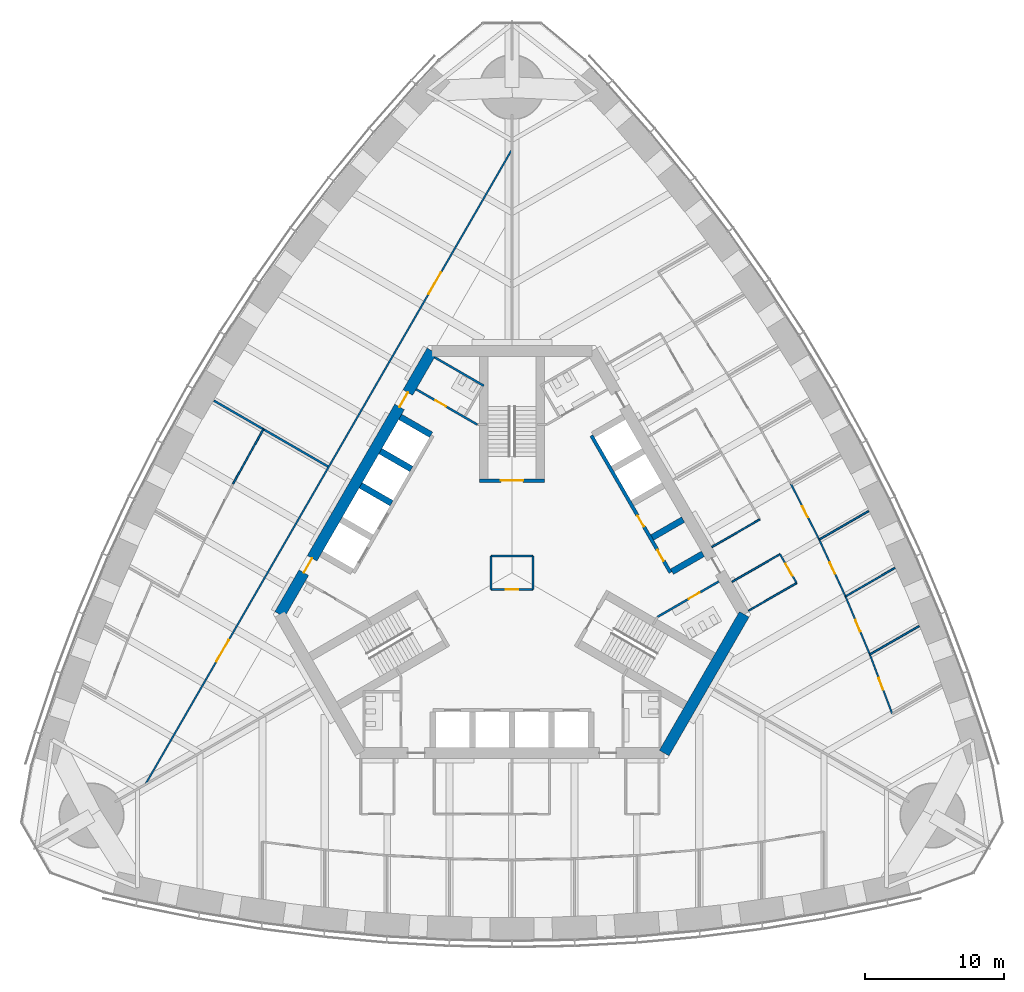
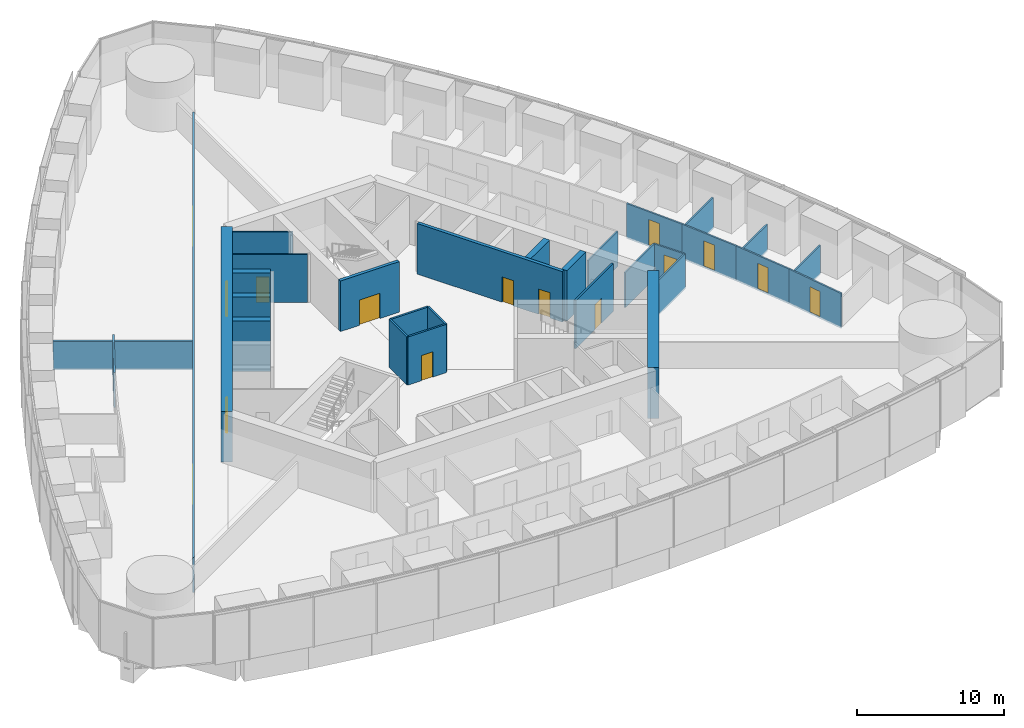
# One storey, part 13 of 20: 30 walls, 15 doors, 15 openings.
"""IFC4 building model written with IfcOpenShell, lengths in metres."""

from ifc_helpers import new_model, si_unit, direction, frame, frame_2d, origin, place, context, subcontext, project, spatial, rectangle, extrude, material, layer, layer_set, type_object, element, fill, save


model = new_model("IFC4")

# Units and contexts
model_context = context("Model", 3, precision=1e-05, world=origin(), true_north=direction((0.0, 1.0)))
body_context = subcontext(model_context, "Body", "Model", "MODEL_VIEW")
ifc_project = project(units=[si_unit("LENGTHUNIT", "METRE"), si_unit("AREAUNIT", "SQUARE_METRE"), si_unit("VOLUMEUNIT", "CUBIC_METRE"), si_unit("PLANEANGLEUNIT", "RADIAN"), si_unit("MASSUNIT", "GRAM", prefix="KILO")], contexts=[model_context])

# Site, building, storey
site_placement = place(None, origin())
site = spatial("IfcSite", under=ifc_project, at=site_placement, CompositionType="ELEMENT")
building_placement = place(site_placement, origin())
building = spatial("IfcBuilding", under=site, at=building_placement, Name="Trefoil Bronze Tower", CompositionType="ELEMENT")
storey_placement = place(building_placement, frame((0.0, 0.0, 103.10009765625)))
storey = spatial("IfcBuildingStorey", under=building, at=storey_placement, Name="L23", CompositionType="ELEMENT", Elevation=103.10009765625)

# Wall
ifc_material_1 = material(Name="Concrete B80", Category="concrete")
ifc_layer_1 = layer(ifc_material_1, 0.800048828125)
ifc_layer_set_1 = layer_set([ifc_layer_1], Name="Core wall 800")
wall_type_1 = type_object("IfcWallType", Name="Core wall 800", PredefinedType="SHEAR", material=ifc_layer_set_1)
wall_1_placement = place(storey_placement, frame((10.9697265625, -13.0, 0.0), z_axis=(0.0, 0.0, 1.0), x_axis=(0.499995765644, 0.866027848477, 0.0)))
element("IfcWall", 1, at=wall_1_placement, inside=storey, type_object=wall_type_1, Name="Core short wall 1 L23", PredefinedType="SHEAR", context=body_context, shape_type="SweptSolid", body=[
    extrude(rectangle(XDim=11.546875, YDim=0.800048828125, at=frame_2d((5.7734375, 0.0))), origin(), (0.0, 0.0, 1.0), 4.199951171875),
])

# Wall, openings, doors
wall_2_placement = place(storey_placement, frame((-5.7734375, 16.0, 0.0), z_axis=(0.0, 0.0, 1.0), x_axis=(-0.500002442456, -0.866023993627, 0.0)))
wall_2 = element("IfcWall", 2, at=wall_2_placement, inside=storey, type_object=wall_type_1, Name="Core long wall 3 L23", PredefinedType="SHEAR", context=body_context, shape_type="SweptSolid", body=[
    extrude(rectangle(XDim=21.939453125, YDim=0.800048828125, at=frame_2d((10.9697265625, 0.0))), origin(), (0.0, 0.0, 1.0), 4.199951171875),
])
opening_1_placement = place(wall_2_placement, frame((17.269775390625, 0.0, 0.0)))
opening_1 = element("IfcOpeningElement", 3, at=opening_1_placement, cuts=wall_2, Name="Opening D2", PredefinedType="OPENING", context=body_context, shape_type="SweptSolid", body=[
    extrude(rectangle(XDim=1.199951171875, YDim=2.10009765625, at=frame_2d((0.60009765625, 1.050048828125))), frame((0.0, 0.409912109375, 0.0), z_axis=(0.0, -1.0, 0.0), x_axis=(1.0, 0.0, 0.0)), (0.0, 0.0, 1.0), 0.820068359375),
])
opening_2_placement = place(wall_2_placement, frame((3.4697265625, 0.0, 0.0)))
opening_2 = element("IfcOpeningElement", 4, at=opening_2_placement, cuts=wall_2, Name="Opening D2", PredefinedType="OPENING", context=body_context, shape_type="SweptSolid", body=[
    extrude(rectangle(XDim=1.199951171875, YDim=2.10009765625, at=frame_2d((0.60009765625, 1.050048828125))), frame((0.0, 0.409912109375, 0.0), z_axis=(0.0, -1.0, 0.0), x_axis=(1.0, 0.0, 0.0)), (0.0, 0.0, 1.0), 0.820068359375),
])
ifc_material_2 = material(Name="Steel door", Category="steel")
door_type_1 = type_object("IfcDoorType", Name="Lobby door 1200", OperationType="SINGLE_SWING_RIGHT", PredefinedType="DOOR", material=ifc_material_2)
door_1_placement = place(opening_1_placement, origin())
door_1 = element("IfcDoor", 5, at=door_1_placement, inside=storey, type_object=door_type_1, Name="Lobby door F3+ L23", OperationType="SINGLE_SWING_RIGHT", OverallHeight=2.10009765625, OverallWidth=1.199951171875, PredefinedType="DOOR", context=body_context, shape_type="SweptSolid", body=[
    extrude(rectangle(XDim=1.199951171875, YDim=2.10009765625, at=frame_2d((0.60009765625, 1.050048828125))), frame((0.0, 0.02490234375, 0.0), z_axis=(0.0, -1.0, 0.0), x_axis=(1.0, 0.0, 0.0)), (0.0, 0.0, 1.0), 0.050048828125),
])
fill(opening_1, door_1)
door_2_placement = place(opening_2_placement, origin())
door_2 = element("IfcDoor", 6, at=door_2_placement, inside=storey, type_object=door_type_1, Name="Lobby door F3- L23", OperationType="SINGLE_SWING_LEFT", OverallHeight=2.10009765625, OverallWidth=1.199951171875, PredefinedType="DOOR", context=body_context, shape_type="SweptSolid", body=[
    extrude(rectangle(XDim=1.199951171875, YDim=2.10009765625, at=frame_2d((0.60009765625, 1.050048828125))), frame((0.0, 0.02490234375, 0.0), z_axis=(0.0, -1.0, 0.0), x_axis=(1.0, 0.0, 0.0)), (0.0, 0.0, 1.0), 0.050048828125),
])
fill(opening_2, door_2)

# Wall, opening, door
ifc_material_3 = material(Name="Glazed partition", Category="glass")
ifc_layer_2 = layer(ifc_material_3, 0.1201171875)
ifc_layer_set_2 = layer_set([ifc_layer_2], Name="Glazed partition 120")
wall_type_2 = type_object("IfcWallType", Name="Glazed partition 120", PredefinedType="PARTITIONING", material=ifc_layer_set_2)
wall_3_placement = place(storey_placement, frame((20.518798828125, -0.73974609375, 0.0), z_axis=(0.0, 0.0, 1.0), x_axis=(-0.499957262057, 0.866050077142, 0.0)))
wall_3 = element("IfcWall", 7, at=wall_3_placement, inside=storey, type_object=wall_type_2, Name="Partition F2 L23", PredefinedType="PARTITIONING", context=body_context, shape_type="SweptSolid", body=[
    extrude(rectangle(XDim=2.400146484375, YDim=0.1201171875, at=frame_2d((1.2001953125, 0.0))), origin(), (0.0, 0.0, 1.0), 2.89990234375),
])
opening_3_placement = place(wall_3_placement, frame((0.60009765625, 0.0, 0.14990234375)))
opening_3 = element("IfcOpeningElement", 8, at=opening_3_placement, cuts=wall_3, Name="Opening D9", PredefinedType="OPENING", context=body_context, shape_type="SweptSolid", body=[
    extrude(rectangle(XDim=1.0, YDim=2.10009765625, at=frame_2d((0.5, 1.050048828125))), frame((0.0, 0.070068359375, 0.0), z_axis=(0.0, -1.0, 0.0), x_axis=(1.0, 0.0, 0.0)), (0.0, 0.0, 1.0), 0.14013671875),
])
ifc_material_4 = material(Name="Glazed timber door", Category="wood")
door_type_2 = type_object("IfcDoorType", Name="Meeting room door 1000", OperationType="SINGLE_SWING_LEFT", PredefinedType="DOOR", material=ifc_material_4)
door_3_placement = place(opening_3_placement, origin())
door_3 = element("IfcDoor", 9, at=door_3_placement, inside=storey, type_object=door_type_2, Name="Team room door F2 L23", OperationType="SINGLE_SWING_LEFT", OverallHeight=2.10009765625, OverallWidth=1.0, PredefinedType="DOOR", context=body_context, shape_type="SweptSolid", body=[
    extrude(rectangle(XDim=1.0, YDim=2.10009765625, at=frame_2d((0.5, 1.050048828125))), frame((0.0, 0.02490234375, 0.0), z_axis=(0.0, -1.0, 0.0), x_axis=(1.0, 0.0, 0.0)), (0.0, 0.0, 1.0), 0.050048828125),
])
fill(opening_3, door_3)

# Walls
for number, where, z_axis, x_axis, name in (
    (10, (17.0546875, -2.73974609375, 0.0), (0.0, 0.0, 1.0), (0.866026010844, 0.49999894854, 0.0), "Partition F2 L23"),
    (11, (14.40478515625, 1.850341796875, 0.0), (0.0, 0.0, 1.0), (0.866026010844, 0.49999894854, 0.0), "Partition F2 L23"),
    (12, (15.854736328125, -0.6611328125, 0.0), (0.0, 0.0, 1.0), (0.866026010844, 0.49999894854, 0.0), "Partition F2 L23"),
):
    element("IfcWall", number, at=place(storey_placement, frame(where, z_axis=z_axis, x_axis=x_axis)), inside=storey, type_object=wall_type_2, Name=name, PredefinedType="PARTITIONING", context=body_context, shape_type="SweptSolid", body=[
        extrude(rectangle(XDim=4.0, YDim=0.1201171875, at=frame_2d((2.0, 0.0))), origin(), (0.0, 0.0, 1.0), 2.89990234375),
    ])

# Wall, opening, door
wall_4_placement = place(storey_placement, frame((24.042724609375, -1.70751953125, 0.0), z_axis=(0.0, 0.0, 1.0), x_axis=(-0.41992827805, 0.90755729367, 0.0)))
wall_4 = element("IfcWall", 13, at=wall_4_placement, inside=storey, type_object=wall_type_2, Name="Partition F2 L23", PredefinedType="PARTITIONING", context=body_context, shape_type="SweptSolid", body=[
    extrude(rectangle(XDim=4.5185546875, YDim=0.1201171875, at=frame_2d((2.25927734375, 0.0))), origin(), (0.0, 0.0, 1.0), 2.89990234375),
])
opening_4_placement = place(wall_4_placement, frame((1.800048828125, 0.0, 0.14990234375)))
opening_4 = element("IfcOpeningElement", 14, at=opening_4_placement, cuts=wall_4, Name="Opening D8", PredefinedType="OPENING", context=body_context, shape_type="SweptSolid", body=[
    extrude(rectangle(XDim=0.89990234375, YDim=2.10009765625, at=frame_2d((0.449951171875, 1.050048828125))), frame((0.0, 0.070068359375, 0.0), z_axis=(0.0, -1.0, 0.0), x_axis=(1.0, 0.0, 0.0)), (0.0, 0.0, 1.0), 0.14013671875),
])
ifc_material_5 = material(Name="Timber door", Category="wood")
door_type_3 = type_object("IfcDoorType", Name="Office door 900", OperationType="SINGLE_SWING_LEFT", PredefinedType="DOOR", material=ifc_material_5)
door_4_placement = place(opening_4_placement, frame((0.89990234375, 0.0, 0.0), z_axis=(0.0, 0.0, 1.0), x_axis=(-1.0, 0.0, 0.0)))
door_4 = element("IfcDoor", 15, at=door_4_placement, inside=storey, type_object=door_type_3, Name="Office door F2 L23", OperationType="SINGLE_SWING_RIGHT", OverallHeight=2.10009765625, OverallWidth=0.89990234375, PredefinedType="DOOR", context=body_context, shape_type="SweptSolid", body=[
    extrude(rectangle(XDim=0.89990234375, YDim=2.10009765625, at=frame_2d((0.449951171875, 1.050048828125))), frame((0.0, 0.02490234375, 0.0), z_axis=(0.0, -1.0, 0.0), x_axis=(1.0, 0.0, 0.0)), (0.0, 0.0, 1.0), 0.050048828125),
])
fill(opening_4, door_4)

wall_5_placement = place(storey_placement, frame((25.797119140625, -5.890625, 0.0), z_axis=(0.0, 0.0, 1.0), x_axis=(-0.386762112496, 0.922179520667, 0.0)))
wall_5 = element("IfcWall", 16, at=wall_5_placement, inside=storey, type_object=wall_type_2, Name="Partition F2 L23", PredefinedType="PARTITIONING", context=body_context, shape_type="SweptSolid", body=[
    extrude(rectangle(XDim=4.5361328125, YDim=0.1201171875, at=frame_2d((2.26806640625, 0.0))), origin(), (0.0, 0.0, 1.0), 2.89990234375),
])
opening_5_placement = place(wall_5_placement, frame((1.800048828125, 0.0, 0.14990234375)))
opening_5 = element("IfcOpeningElement", 17, at=opening_5_placement, cuts=wall_5, Name="Opening D8", PredefinedType="OPENING", context=body_context, shape_type="SweptSolid", body=[
    extrude(rectangle(XDim=0.89990234375, YDim=2.10009765625, at=frame_2d((0.449951171875, 1.050048828125))), frame((0.0, 0.070068359375, 0.0), z_axis=(0.0, -1.0, 0.0), x_axis=(1.0, 0.0, 0.0)), (0.0, 0.0, 1.0), 0.14013671875),
])
door_5_placement = place(opening_5_placement, frame((0.89990234375, 0.0, 0.0), z_axis=(0.0, 0.0, 1.0), x_axis=(-1.0, 0.0, 0.0)))
door_5 = element("IfcDoor", 18, at=door_5_placement, inside=storey, type_object=door_type_3, Name="Office door F2 L23", OperationType="SINGLE_SWING_RIGHT", OverallHeight=2.10009765625, OverallWidth=0.89990234375, PredefinedType="DOOR", context=body_context, shape_type="SweptSolid", body=[
    extrude(rectangle(XDim=0.89990234375, YDim=2.10009765625, at=frame_2d((0.449951171875, 1.050048828125))), frame((0.0, 0.02490234375, 0.0), z_axis=(0.0, -1.0, 0.0), x_axis=(1.0, 0.0, 0.0)), (0.0, 0.0, 1.0), 0.050048828125),
])
fill(opening_5, door_5)

wall_6_placement = place(storey_placement, frame((27.406494140625, -10.15771484375, 0.0), z_axis=(0.0, 0.0, 1.0), x_axis=(-0.352894560512, 0.93566309597, 0.0)))
wall_6 = element("IfcWall", 19, at=wall_6_placement, inside=storey, type_object=wall_type_2, Name="Partition F2 L23", PredefinedType="PARTITIONING", context=body_context, shape_type="SweptSolid", body=[
    extrude(rectangle(XDim=4.560546875, YDim=0.1201171875, at=frame_2d((2.2802734375, 0.0))), origin(), (0.0, 0.0, 1.0), 2.89990234375),
])
opening_6_placement = place(wall_6_placement, frame((1.85009765625, 0.0, 0.14990234375)))
opening_6 = element("IfcOpeningElement", 20, at=opening_6_placement, cuts=wall_6, Name="Opening D8", PredefinedType="OPENING", context=body_context, shape_type="SweptSolid", body=[
    extrude(rectangle(XDim=0.89990234375, YDim=2.10009765625, at=frame_2d((0.449951171875, 1.050048828125))), frame((0.0, 0.070068359375, 0.0), z_axis=(0.0, -1.0, 0.0), x_axis=(1.0, 0.0, 0.0)), (0.0, 0.0, 1.0), 0.14013671875),
])
door_6_placement = place(opening_6_placement, frame((0.89990234375, 0.0, 0.0), z_axis=(0.0, 0.0, 1.0), x_axis=(-1.0, 0.0, 0.0)))
door_6 = element("IfcDoor", 21, at=door_6_placement, inside=storey, type_object=door_type_3, Name="Office door F2 L23", OperationType="SINGLE_SWING_LEFT", OverallHeight=2.10009765625, OverallWidth=0.89990234375, PredefinedType="DOOR", context=body_context, shape_type="SweptSolid", body=[
    extrude(rectangle(XDim=0.89990234375, YDim=2.10009765625, at=frame_2d((0.449951171875, 1.050048828125))), frame((0.0, 0.02490234375, 0.0), z_axis=(0.0, -1.0, 0.0), x_axis=(1.0, 0.0, 0.0)), (0.0, 0.0, 1.0), 0.050048828125),
])
fill(opening_6, door_6)

wall_7_placement = place(storey_placement, frame((22.145263671875, 2.393310546875, 0.0), z_axis=(0.0, 0.0, 1.0), x_axis=(-0.452471679136, 0.891778772779, 0.0)))
wall_7 = element("IfcWall", 22, at=wall_7_placement, inside=storey, type_object=wall_type_2, Name="Partition F2 L23", PredefinedType="PARTITIONING", context=body_context, shape_type="SweptSolid", body=[
    extrude(rectangle(XDim=4.506591796875, YDim=0.1201171875, at=frame_2d((2.25341796875, 0.0))), origin(), (0.0, 0.0, 1.0), 2.89990234375),
])
opening_7_placement = place(wall_7_placement, frame((1.800048828125, 0.0, 0.14990234375)))
opening_7 = element("IfcOpeningElement", 23, at=opening_7_placement, cuts=wall_7, Name="Opening D8", PredefinedType="OPENING", context=body_context, shape_type="SweptSolid", body=[
    extrude(rectangle(XDim=0.89990234375, YDim=2.10009765625, at=frame_2d((0.449951171875, 1.050048828125))), frame((0.0, 0.070068359375, 0.0), z_axis=(0.0, -1.0, 0.0), x_axis=(1.0, 0.0, 0.0)), (0.0, 0.0, 1.0), 0.14013671875),
])
door_7_placement = place(opening_7_placement, frame((0.89990234375, 0.0, 0.0), z_axis=(0.0, 0.0, 1.0), x_axis=(-1.0, 0.0, 0.0)))
door_7 = element("IfcDoor", 24, at=door_7_placement, inside=storey, type_object=door_type_3, Name="Office door F2 L23", OperationType="SINGLE_SWING_RIGHT", OverallHeight=2.10009765625, OverallWidth=0.89990234375, PredefinedType="DOOR", context=body_context, shape_type="SweptSolid", body=[
    extrude(rectangle(XDim=0.89990234375, YDim=2.10009765625, at=frame_2d((0.449951171875, 1.050048828125))), frame((0.0, 0.02490234375, 0.0), z_axis=(0.0, -1.0, 0.0), x_axis=(1.0, 0.0, 0.0)), (0.0, 0.0, 1.0), 0.050048828125),
])
fill(opening_7, door_7)

# Walls
wall_8_placement = place(storey_placement, frame((24.042724609375, -1.70751953125, 0.0), z_axis=(0.0, 0.0, 1.0), x_axis=(0.866019409031, 0.500010383074, 0.0)))
element("IfcWall", 25, at=wall_8_placement, inside=storey, type_object=wall_type_2, Name="Partition F2 L23", PredefinedType="PARTITIONING", context=body_context, shape_type="SweptSolid", body=[
    extrude(rectangle(XDim=4.1103515625, YDim=0.1201171875, at=frame_2d((2.05517578125, 0.0))), origin(), (0.0, 0.0, 1.0), 2.199951171875),
])
wall_9_placement = place(storey_placement, frame((25.797119140625, -5.890625, 0.0), z_axis=(0.0, 0.0, 1.0), x_axis=(0.866019112135, 0.500010897298, 0.0)))
element("IfcWall", 26, at=wall_9_placement, inside=storey, type_object=wall_type_2, Name="Partition F2 L23", PredefinedType="PARTITIONING", context=body_context, shape_type="SweptSolid", body=[
    extrude(rectangle(XDim=4.10302734375, YDim=0.1201171875, at=frame_2d((2.051513671875, 0.0))), origin(), (0.0, 0.0, 1.0), 2.39990234375),
])
wall_10_placement = place(storey_placement, frame((22.145263671875, 2.393310546875, 0.0), z_axis=(0.0, 0.0, 1.0), x_axis=(0.866018637367, 0.500011719595, 0.0)))
element("IfcWall", 27, at=wall_10_placement, inside=storey, type_object=wall_type_2, Name="Partition F2 L23", PredefinedType="PARTITIONING", context=body_context, shape_type="SweptSolid", body=[
    extrude(rectangle(XDim=4.11572265625, YDim=0.1201171875, at=frame_2d((2.057861328125, 0.0))), origin(), (0.0, 0.0, 1.0), 2.599853515625),
])

# Wall, openings, doors
wall_11_placement = place(storey_placement, frame((-0.016357421875, 30.491455078125, 0.0), z_axis=(0.0, 0.0, 1.0), x_axis=(-0.50000091641, -0.866024874695, 0.0)))
wall_11 = element("IfcWall", 28, at=wall_11_placement, inside=storey, type_object=wall_type_2, Name="Partition F3 L23", PredefinedType="PARTITIONING", context=body_context, shape_type="SweptSolid", body=[
    extrude(rectangle(XDim=52.79638671875, YDim=0.1201171875, at=frame_2d((26.398193359375, 0.0))), origin(), (0.0, 0.0, 1.0), 2.89990234375),
])
opening_8_placement = place(wall_11_placement, frame((10.199951171875, 0.0, 0.14990234375)))
opening_8 = element("IfcOpeningElement", 29, at=opening_8_placement, cuts=wall_11, Name="Opening D10", PredefinedType="OPENING", context=body_context, shape_type="SweptSolid", body=[
    extrude(rectangle(XDim=1.800048828125, YDim=2.10009765625, at=frame_2d((0.89990234375, 1.050048828125))), frame((0.0, 0.070068359375, 0.0), z_axis=(0.0, -1.0, 0.0), x_axis=(1.0, 0.0, 0.0)), (0.0, 0.0, 1.0), 0.14013671875),
])
opening_9_placement = place(wall_11_placement, frame((40.800048828125, 0.0, 0.14990234375)))
opening_9 = element("IfcOpeningElement", 30, at=opening_9_placement, cuts=wall_11, Name="Opening D10", PredefinedType="OPENING", context=body_context, shape_type="SweptSolid", body=[
    extrude(rectangle(XDim=1.800048828125, YDim=2.10009765625, at=frame_2d((0.89990234375, 1.050048828125))), frame((0.0, 0.070068359375, 0.0), z_axis=(0.0, -1.0, 0.0), x_axis=(1.0, 0.0, 0.0)), (0.0, 0.0, 1.0), 0.14013671875),
])
ifc_material_6 = material(Name="Timber door", Category="wood")
door_type_4 = type_object("IfcDoorType", Name="Double door 1800", OperationType="DOUBLE_DOOR_SINGLE_SWING", PredefinedType="DOOR", material=ifc_material_6)
door_8_placement = place(opening_8_placement, frame((1.800048828125, 0.0, 0.0), z_axis=(0.0, 0.0, 1.0), x_axis=(-1.0, 0.0, 0.0)))
door_8 = element("IfcDoor", 31, at=door_8_placement, inside=storey, type_object=door_type_4, Name="Corridor door F3 L23", OperationType="DOUBLE_DOOR_SINGLE_SWING", OverallHeight=2.10009765625, OverallWidth=1.800048828125, PredefinedType="DOOR", context=body_context, shape_type="SweptSolid", body=[
    extrude(rectangle(XDim=1.800048828125, YDim=2.10009765625, at=frame_2d((0.89990234375, 1.050048828125))), frame((0.0, 0.02490234375, 0.0), z_axis=(0.0, -1.0, 0.0), x_axis=(1.0, 0.0, 0.0)), (0.0, 0.0, 1.0), 0.050048828125),
])
fill(opening_8, door_8)
door_9_placement = place(opening_9_placement, frame((1.800048828125, 0.0, 0.0), z_axis=(0.0, 0.0, 1.0), x_axis=(-1.0, 0.0, 0.0)))
door_9 = element("IfcDoor", 32, at=door_9_placement, inside=storey, type_object=door_type_4, Name="Corridor door F3 L23", OperationType="DOUBLE_DOOR_SINGLE_SWING", OverallHeight=2.10009765625, OverallWidth=1.800048828125, PredefinedType="DOOR", context=body_context, shape_type="SweptSolid", body=[
    extrude(rectangle(XDim=1.800048828125, YDim=2.10009765625, at=frame_2d((0.89990234375, 1.050048828125))), frame((0.0, 0.02490234375, 0.0), z_axis=(0.0, -1.0, 0.0), x_axis=(1.0, 0.0, 0.0)), (0.0, 0.0, 1.0), 0.050048828125),
])
fill(opening_9, door_9)

# Walls
wall_12_placement = place(storey_placement, frame((-17.926513671875, 10.349853515625, 0.0), z_axis=(0.0, 0.0, 1.0), x_axis=(-0.484292898211, -0.874905931368, 0.0)))
element("IfcWall", 33, at=wall_12_placement, inside=storey, type_object=wall_type_2, Name="Partition F3 L23", PredefinedType="PARTITIONING", context=body_context, shape_type="SweptSolid", body=[
    extrude(rectangle(XDim=4.500732421875, YDim=0.1201171875, at=frame_2d((2.25048828125, 0.0))), origin(), (0.0, 0.0, 1.0), 2.89990234375),
])
ifc_material_7 = material(Name="Concrete B80", Category="concrete")
ifc_layer_3 = layer(ifc_material_7, 0.449951171875)
ifc_layer_set_3 = layer_set([ifc_layer_3], Name="Outrigger shaft wall 450")
wall_type_3 = type_object("IfcWallType", Name="Outrigger shaft wall 450", PredefinedType="SHEAR", material=ifc_layer_set_3)
for number, where, z_axis, x_axis, name in (
    (34, (11.531982421875, 0.076171875, 0.0), (0.0, 0.0, 1.0), (0.866005588531, 0.500034319456, 0.0), "Lift shaft side wall B0 L23"),
    (35, (10.10693359375, 2.54443359375, 0.0), (0.0, 0.0, 1.0), (0.866046643894, 0.499963209246, 0.0), "Lift shaft side wall B1 L23"),
):
    element("IfcWall", number, at=place(storey_placement, frame(where, z_axis=z_axis, x_axis=x_axis)), inside=storey, type_object=wall_type_3, Name=name, PredefinedType="SHEAR", context=body_context, shape_type="SweptSolid", body=[
        extrude(rectangle(XDim=2.574951171875, YDim=0.449951171875, at=frame_2d((1.28759765625, 0.0))), origin(), (0.0, 0.0, 1.0), 4.199951171875),
    ])
wall_13_placement = place(storey_placement, frame((-5.831787109375, 9.94873046875, 0.0), z_axis=(0.0, 0.0, 1.0), x_axis=(-0.866029291668, 0.499993265928, 0.0)))
element("IfcWall", 36, at=wall_13_placement, inside=storey, type_object=wall_type_3, Name="Lift shaft side wall C0 L23", PredefinedType="SHEAR", context=body_context, shape_type="SweptSolid", body=[
    extrude(rectangle(XDim=2.5751953125, YDim=0.449951171875, at=frame_2d((1.28759765625, 0.0))), origin(), (0.0, 0.0, 1.0), 4.199951171875),
])
for number, where, z_axis, x_axis, name in (
    (37, (-7.2568359375, 7.480712890625, 0.0), (0.0, 0.0, 1.0), (-0.866046643894, 0.499963209246, 0.0), "Lift shaft side wall C1 L23"),
    (38, (-8.681884765625, 5.012451171875, 0.0), (0.0, 0.0, 1.0), (-0.866005588531, 0.500034319456, 0.0), "Lift shaft side wall C2 L23"),
):
    element("IfcWall", number, at=place(storey_placement, frame(where, z_axis=z_axis, x_axis=x_axis)), inside=storey, type_object=wall_type_3, Name=name, PredefinedType="SHEAR", context=body_context, shape_type="SweptSolid", body=[
        extrude(rectangle(XDim=2.574951171875, YDim=0.449951171875, at=frame_2d((1.28759765625, 0.0))), origin(), (0.0, 0.0, 1.0), 4.199951171875),
    ])

# Wall, opening, door
ifc_material_8 = material(Name="Gypsum board on steel studs", Category="steel")
ifc_layer_4 = layer(ifc_material_8, 0.14990234375)
ifc_layer_set_4 = layer_set([ifc_layer_4], Name="Partition 150")
wall_type_4 = type_object("IfcWallType", Name="Partition 150", PredefinedType="PARTITIONING", material=ifc_layer_set_4)
wall_14_placement = place(storey_placement, frame((10.4951171875, -3.17822265625, 0.0), z_axis=(0.0, 0.0, 1.0), x_axis=(0.86602216432, 0.500005610874, 0.0)))
wall_14 = element("IfcWall", 39, at=wall_14_placement, inside=storey, type_object=wall_type_4, Name="Passage wall F2- L23", PredefinedType="PARTITIONING", context=body_context, shape_type="SweptSolid", body=[
    extrude(rectangle(XDim=5.10009765625, YDim=0.14990234375, at=frame_2d((2.550048828125, 0.0))), origin(), (0.0, 0.0, 1.0), 4.0),
])
opening_10_placement = place(wall_14_placement, frame((2.60009765625, 0.0, 0.0)))
opening_10 = element("IfcOpeningElement", 40, at=opening_10_placement, cuts=wall_14, Name="Opening D3", PredefinedType="OPENING", context=body_context, shape_type="SweptSolid", body=[
    extrude(rectangle(XDim=0.89990234375, YDim=2.10009765625, at=frame_2d((0.449951171875, 1.050048828125))), frame((0.0, 0.0849609375, 0.0), z_axis=(0.0, -1.0, 0.0), x_axis=(1.0, 0.0, 0.0)), (0.0, 0.0, 1.0), 0.169921875),
])
ifc_material_9 = material(Name="Timber door", Category="wood")
door_type_5 = type_object("IfcDoorType", Name="WC door 900", OperationType="SINGLE_SWING_LEFT", PredefinedType="DOOR", material=ifc_material_9)
door_10_placement = place(opening_10_placement, frame((0.89990234375, 0.0, 0.0), z_axis=(0.0, 0.0, 1.0), x_axis=(-1.0, 0.0, 0.0)))
door_10 = element("IfcDoor", 41, at=door_10_placement, inside=storey, type_object=door_type_5, Name="WC (women) door L23", OperationType="SINGLE_SWING_LEFT", OverallHeight=2.10009765625, OverallWidth=0.89990234375, PredefinedType="DOOR", context=body_context, shape_type="SweptSolid", body=[
    extrude(rectangle(XDim=0.89990234375, YDim=2.10009765625, at=frame_2d((0.449951171875, 1.050048828125))), frame((0.0, 0.02490234375, 0.0), z_axis=(0.0, -1.0, 0.0), x_axis=(1.0, 0.0, 0.0)), (0.0, 0.0, 1.0), 0.050048828125),
])
fill(opening_10, door_10)

wall_15_placement = place(storey_placement, frame((-2.4951171875, 10.67822265625, 0.0), z_axis=(0.0, 0.0, 1.0), x_axis=(-0.86602216432, 0.500005610874, 0.0)))
wall_15 = element("IfcWall", 42, at=wall_15_placement, inside=storey, type_object=wall_type_4, Name="Passage wall F3- L23", PredefinedType="PARTITIONING", context=body_context, shape_type="SweptSolid", body=[
    extrude(rectangle(XDim=5.10009765625, YDim=0.14990234375, at=frame_2d((2.550048828125, 0.0))), origin(), (0.0, 0.0, 1.0), 4.0),
])
opening_11_placement = place(wall_15_placement, frame((2.60009765625, 0.0, 0.0)))
opening_11 = element("IfcOpeningElement", 43, at=opening_11_placement, cuts=wall_15, Name="Opening D3", PredefinedType="OPENING", context=body_context, shape_type="SweptSolid", body=[
    extrude(rectangle(XDim=0.89990234375, YDim=2.10009765625, at=frame_2d((0.449951171875, 1.050048828125))), frame((0.0, 0.0849609375, 0.0), z_axis=(0.0, -1.0, 0.0), x_axis=(1.0, 0.0, 0.0)), (0.0, 0.0, 1.0), 0.169921875),
])
door_11_placement = place(opening_11_placement, frame((0.89990234375, 0.0, 0.0), z_axis=(0.0, 0.0, 1.0), x_axis=(-1.0, 0.0, 0.0)))
door_11 = element("IfcDoor", 44, at=door_11_placement, inside=storey, type_object=door_type_5, Name="WC (women) door L23", OperationType="SINGLE_SWING_RIGHT", OverallHeight=2.10009765625, OverallWidth=0.89990234375, PredefinedType="DOOR", context=body_context, shape_type="SweptSolid", body=[
    extrude(rectangle(XDim=0.89990234375, YDim=2.10009765625, at=frame_2d((0.449951171875, 1.050048828125))), frame((0.0, 0.02490234375, 0.0), z_axis=(0.0, -1.0, 0.0), x_axis=(1.0, 0.0, 0.0)), (0.0, 0.0, 1.0), 0.050048828125),
])
fill(opening_11, door_11)

# Walls
wall_16_placement = place(storey_placement, frame((-2.03125, 13.48193359375, 0.0), z_axis=(0.0, 0.0, 1.0), x_axis=(-0.866050731258, 0.499956128963, 0.0)))
element("IfcWall", 45, at=wall_16_placement, inside=storey, type_object=wall_type_4, Name="WC partition WC (women) L23", PredefinedType="PARTITIONING", context=body_context, shape_type="SweptSolid", body=[
    extrude(rectangle(XDim=4.099853515625, YDim=0.14990234375, at=frame_2d((2.0498046875, 0.0))), origin(), (0.0, 0.0, 1.0), 4.0),
])
ifc_material_10 = material(Name="Gypsum board on steel studs", Category="steel")
ifc_layer_5 = layer(ifc_material_10, 0.14990234375)
ifc_layer_set_5 = layer_set([ifc_layer_5], Name="Party wall 150")
wall_type_5 = type_object("IfcWallType", Name="Party wall 150", PredefinedType="PARTITIONING", material=ifc_layer_set_5)
wall_17_placement = place(storey_placement, frame((-13.267578125, 7.659912109375, 0.0), z_axis=(0.0, 0.0, 1.0), x_axis=(-0.866013963754, 0.500019814191, 0.0)))
element("IfcWall", 46, at=wall_17_placement, inside=storey, type_object=wall_type_5, Name="Demising wall F3 L23", PredefinedType="PARTITIONING", context=body_context, shape_type="SweptSolid", body=[
    extrude(rectangle(XDim=9.49951171875, YDim=0.14990234375, at=frame_2d((4.749755859375, 0.0))), origin(), (0.0, 0.0, 1.0), 2.39990234375),
])

# Wall, opening, door
ifc_material_11 = material(Name="Gypsum board on steel studs", Category="steel")
ifc_layer_6 = layer(ifc_material_11, 0.14990234375)
ifc_layer_set_6 = layer_set([ifc_layer_6], Name="Riser wall 150")
wall_type_6 = type_object("IfcWallType", Name="Riser wall 150", PredefinedType="PARTITIONING", material=ifc_layer_set_6)
wall_18_placement = place(storey_placement, frame((-1.5, -1.199951171875, 0.0), z_axis=(0.0, 0.0, 1.0), x_axis=(1.0, 0.0, 0.0)))
wall_18 = element("IfcWall", 47, at=wall_18_placement, inside=storey, type_object=wall_type_6, Name="Riser wall L23", PredefinedType="PARTITIONING", context=body_context, shape_type="SweptSolid", body=[
    extrude(rectangle(XDim=3.0, YDim=0.14990234375, at=frame_2d((1.5, 0.0))), origin(), (0.0, 0.0, 1.0), 4.0),
])
opening_12_placement = place(wall_18_placement, frame((1.050048828125, 0.0, 0.0)))
opening_12 = element("IfcOpeningElement", 48, at=opening_12_placement, cuts=wall_18, Name="Opening D4", PredefinedType="OPENING", context=body_context, shape_type="SweptSolid", body=[
    extrude(rectangle(XDim=0.89990234375, YDim=2.10009765625, at=frame_2d((0.449951171875, 1.050048828125))), frame((0.0, 0.0849609375, 0.0), z_axis=(0.0, -1.0, 0.0), x_axis=(1.0, 0.0, 0.0)), (0.0, 0.0, 1.0), 0.169921875),
])
ifc_material_12 = material(Name="Steel door", Category="steel")
door_type_6 = type_object("IfcDoorType", Name="Riser door 900", OperationType="SINGLE_SWING_LEFT", PredefinedType="DOOR", material=ifc_material_12)
door_12_placement = place(opening_12_placement, frame((0.89990234375, 0.0, 0.0), z_axis=(0.0, 0.0, 1.0), x_axis=(-1.0, 0.0, 0.0)))
door_12 = element("IfcDoor", 49, at=door_12_placement, inside=storey, type_object=door_type_6, Name="Riser door L23", OperationType="SINGLE_SWING_LEFT", OverallHeight=2.10009765625, OverallWidth=0.89990234375, PredefinedType="DOOR", context=body_context, shape_type="SweptSolid", body=[
    extrude(rectangle(XDim=0.89990234375, YDim=2.10009765625, at=frame_2d((0.449951171875, 1.050048828125))), frame((0.0, 0.02490234375, 0.0), z_axis=(0.0, -1.0, 0.0), x_axis=(1.0, 0.0, 0.0)), (0.0, 0.0, 1.0), 0.050048828125),
])
fill(opening_12, door_12)

# Walls
wall_19_placement = place(storey_placement, frame((1.5, -1.199951171875, 0.0), z_axis=(0.0, 0.0, 1.0), x_axis=(0.0, 1.0, 0.0)))
element("IfcWall", 50, at=wall_19_placement, inside=storey, type_object=wall_type_6, Name="Riser wall L23", PredefinedType="PARTITIONING", context=body_context, shape_type="SweptSolid", body=[
    extrude(rectangle(XDim=2.39990234375, YDim=0.14990234375, at=frame_2d((1.199951171875, 0.0))), origin(), (0.0, 0.0, 1.0), 4.0),
])
wall_20_placement = place(storey_placement, frame((1.5, 1.199951171875, 0.0), z_axis=(0.0, 0.0, 1.0), x_axis=(-1.0, 0.0, 0.0)))
element("IfcWall", 51, at=wall_20_placement, inside=storey, type_object=wall_type_6, Name="Riser wall L23", PredefinedType="PARTITIONING", context=body_context, shape_type="SweptSolid", body=[
    extrude(rectangle(XDim=3.0, YDim=0.14990234375, at=frame_2d((1.5, 0.0))), origin(), (0.0, 0.0, 1.0), 4.0),
])
wall_21_placement = place(storey_placement, frame((-1.5, 1.199951171875, 0.0), z_axis=(0.0, 0.0, 1.0), x_axis=(0.0, -1.0, 0.0)))
element("IfcWall", 52, at=wall_21_placement, inside=storey, type_object=wall_type_6, Name="Riser wall L23", PredefinedType="PARTITIONING", context=body_context, shape_type="SweptSolid", body=[
    extrude(rectangle(XDim=2.39990234375, YDim=0.14990234375, at=frame_2d((1.199951171875, 0.0))), origin(), (0.0, 0.0, 1.0), 4.0),
])

# Wall, openings, doors
ifc_material_13 = material(Name="Concrete B80", Category="concrete")
ifc_layer_7 = layer(ifc_material_13, 0.25)
ifc_layer_set_7 = layer_set([ifc_layer_7], Name="Shaft wall 250")
wall_type_7 = type_object("IfcWallType", Name="Shaft wall 250", PredefinedType="SHEAR", material=ifc_layer_set_7)
wall_22_placement = place(storey_placement, frame((11.423583984375, 0.013671875, 0.0), z_axis=(0.0, 0.0, 1.0), x_axis=(-0.500001763848, 0.866024385424, 0.0)))
wall_22 = element("IfcWall", 53, at=wall_22_placement, inside=storey, type_object=wall_type_7, Name="Lift shaft front wall B L23", PredefinedType="SHEAR", context=body_context, shape_type="SweptSolid", body=[
    extrude(rectangle(XDim=11.39990234375, YDim=0.25, at=frame_2d((5.699951171875, 0.0))), origin(), (0.0, 0.0, 1.0), 4.199951171875),
])
opening_13_placement = place(wall_22_placement, frame((0.97509765625, 0.0, 0.0)))
opening_13 = element("IfcOpeningElement", 54, at=opening_13_placement, cuts=wall_22, Name="Opening D12", PredefinedType="OPENING", context=body_context, shape_type="SweptSolid", body=[
    extrude(rectangle(XDim=0.89990234375, YDim=2.10009765625, at=frame_2d((0.449951171875, 1.050048828125))), frame((0.0, 0.135009765625, 0.0), z_axis=(0.0, -1.0, 0.0), x_axis=(1.0, 0.0, 0.0)), (0.0, 0.0, 1.0), 0.27001953125),
])
opening_14_placement = place(wall_22_placement, frame((3.824951171875, 0.0, 0.0)))
opening_14 = element("IfcOpeningElement", 55, at=opening_14_placement, cuts=wall_22, Name="Opening D12", PredefinedType="OPENING", context=body_context, shape_type="SweptSolid", body=[
    extrude(rectangle(XDim=0.89990234375, YDim=2.10009765625, at=frame_2d((0.449951171875, 1.050048828125))), frame((0.0, 0.135009765625, 0.0), z_axis=(0.0, -1.0, 0.0), x_axis=(1.0, 0.0, 0.0)), (0.0, 0.0, 1.0), 0.27001953125),
])
ifc_material_14 = material(Name="Steel door", Category="steel")
door_type_7 = type_object("IfcDoorType", Name="Shaft room door 900", OperationType="SINGLE_SWING_LEFT", PredefinedType="DOOR", material=ifc_material_14)
door_13_placement = place(opening_13_placement, frame((0.89990234375, 0.0, 0.0), z_axis=(0.0, 0.0, 1.0), x_axis=(-1.0, 0.0, 0.0)))
door_13 = element("IfcDoor", 56, at=door_13_placement, inside=storey, type_object=door_type_7, Name="Shaft room door B1 L23", OperationType="SINGLE_SWING_LEFT", OverallHeight=2.10009765625, OverallWidth=0.89990234375, PredefinedType="DOOR", context=body_context, shape_type="SweptSolid", body=[
    extrude(rectangle(XDim=0.89990234375, YDim=2.10009765625, at=frame_2d((0.449951171875, 1.050048828125))), frame((0.0, 0.02490234375, 0.0), z_axis=(0.0, -1.0, 0.0), x_axis=(1.0, 0.0, 0.0)), (0.0, 0.0, 1.0), 0.050048828125),
])
fill(opening_13, door_13)
door_14_placement = place(opening_14_placement, frame((0.89990234375, 0.0, 0.0), z_axis=(0.0, 0.0, 1.0), x_axis=(-1.0, 0.0, 0.0)))
door_14 = element("IfcDoor", 57, at=door_14_placement, inside=storey, type_object=door_type_7, Name="Shaft room door B2 L23", OperationType="SINGLE_SWING_RIGHT", OverallHeight=2.10009765625, OverallWidth=0.89990234375, PredefinedType="DOOR", context=body_context, shape_type="SweptSolid", body=[
    extrude(rectangle(XDim=0.89990234375, YDim=2.10009765625, at=frame_2d((0.449951171875, 1.050048828125))), frame((0.0, 0.02490234375, 0.0), z_axis=(0.0, -1.0, 0.0), x_axis=(1.0, 0.0, 0.0)), (0.0, 0.0, 1.0), 0.050048828125),
])
fill(opening_14, door_14)

# Wall, opening, door
wall_23_placement = place(storey_placement, frame((2.324951171875, 6.64990234375, 0.0), z_axis=(0.0, 0.0, 1.0), x_axis=(-1.0, 0.0, 0.0)))
wall_23 = element("IfcWall", 58, at=wall_23_placement, inside=storey, type_object=wall_type_7, Name="Stair end wall ST2 L23", PredefinedType="SHEAR", context=body_context, shape_type="SweptSolid", body=[
    extrude(rectangle(XDim=4.64990234375, YDim=0.25, at=frame_2d((2.324951171875, 0.0))), origin(), (0.0, 0.0, 1.0), 4.199951171875),
])
opening_15_placement = place(wall_23_placement, frame((1.52490234375, 0.0, 0.0)))
opening_15 = element("IfcOpeningElement", 59, at=opening_15_placement, cuts=wall_23, Name="Opening D1", PredefinedType="OPENING", context=body_context, shape_type="SweptSolid", body=[
    extrude(rectangle(XDim=1.60009765625, YDim=2.10009765625, at=frame_2d((0.800048828125, 1.050048828125))), frame((0.0, 0.135009765625, 0.0), z_axis=(0.0, -1.0, 0.0), x_axis=(1.0, 0.0, 0.0)), (0.0, 0.0, 1.0), 0.27001953125),
])
ifc_material_15 = material(Name="Steel door", Category="steel")
door_type_8 = type_object("IfcDoorType", Name="Stair door 1600", OperationType="DOUBLE_DOOR_SINGLE_SWING", PredefinedType="DOOR", material=ifc_material_15)
door_15_placement = place(opening_15_placement, frame((1.60009765625, 0.0, 0.0), z_axis=(0.0, 0.0, 1.0), x_axis=(-1.0, 0.0, 0.0)))
door_15 = element("IfcDoor", 60, at=door_15_placement, inside=storey, type_object=door_type_8, Name="Stair door ST2 L23", OperationType="DOUBLE_DOOR_SINGLE_SWING", OverallHeight=2.10009765625, OverallWidth=1.60009765625, PredefinedType="DOOR", context=body_context, shape_type="SweptSolid", body=[
    extrude(rectangle(XDim=1.60009765625, YDim=2.10009765625, at=frame_2d((0.800048828125, 1.050048828125))), frame((0.0, 0.02490234375, 0.0), z_axis=(0.0, -1.0, 0.0), x_axis=(1.0, 0.0, 0.0)), (0.0, 0.0, 1.0), 0.050048828125),
])
fill(opening_15, door_15)

save(model, "model.ifc")
